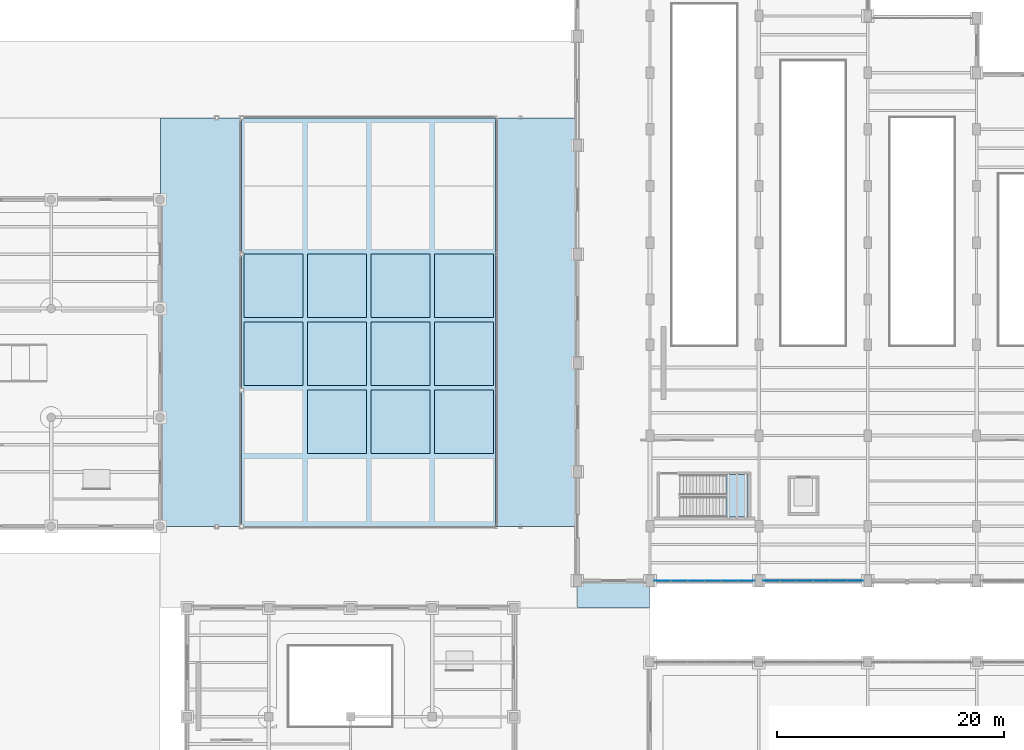
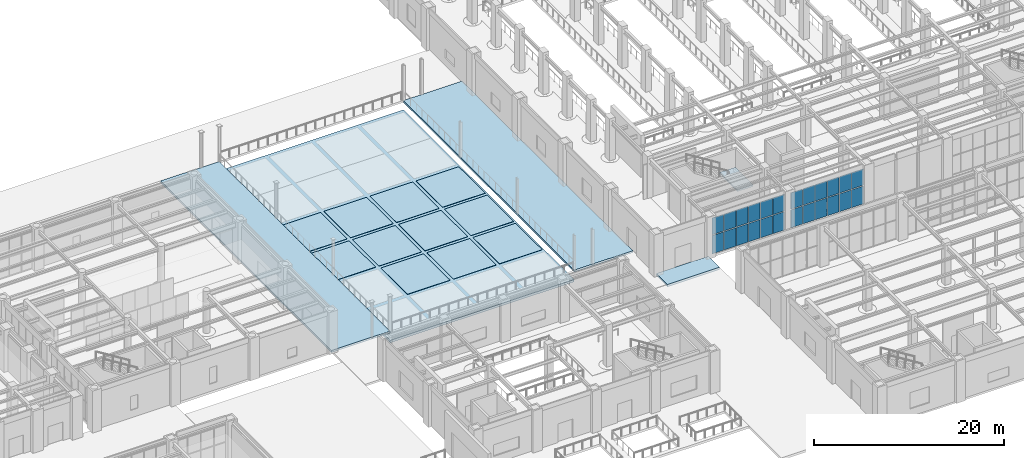
# One storey, part 118 of 164: 35 plates, 5 slabs, 3 elements without a shape of their own.
"""IFC4 building model written with IfcOpenShell, lengths in metres."""

from ifc_helpers import new_model, si_unit, direction, frame, origin, origin_2d, place, context, subcontext, project, spatial, polyline, rectangle, outline, extrude, material, layer, layer_set, type_object, element, aggregate, save


model = new_model("IFC4")

# Units and contexts
model_context = context("Model", 3, precision=1e-05, world=origin(), true_north=direction((0.0, 1.0)))
body_context = subcontext(model_context, "Body", "Model", "MODEL_VIEW")
ifc_project = project(units=[si_unit("LENGTHUNIT", "METRE"), si_unit("AREAUNIT", "SQUARE_METRE"), si_unit("VOLUMEUNIT", "CUBIC_METRE"), si_unit("PLANEANGLEUNIT", "RADIAN"), si_unit("MASSUNIT", "GRAM", prefix="KILO")], contexts=[model_context])

# Site, building, storey
site_placement = place(None, origin())
site = spatial("IfcSite", under=ifc_project, at=site_placement, CompositionType="ELEMENT")
building_placement = place(site_placement, origin())
building = spatial("IfcBuilding", under=site, at=building_placement, Name="Mavantir Sound Aquarium", CompositionType="ELEMENT")
storey_placement = place(building_placement, origin())
storey = spatial("IfcBuildingStorey", under=building, at=storey_placement, Name="L00", CompositionType="ELEMENT", Elevation=0.0)

# Curtain wall, plates
ifc_material_1 = material(Name="Anodised Marine Aluminium and Low-E Glass", Category="aluminium")
curtain_wall_type_1 = type_object("IfcCurtainWallType", Name="CW-T21", PredefinedType="USERDEFINED", material=ifc_material_1)
curtain_wall_1_placement = place(storey_placement, origin())
curtain_wall_1 = element("IfcCurtainWall", 1, at=curtain_wall_1_placement, inside=storey, type_object=curtain_wall_type_1, Name="L00 unitised curtain wall CW-21 21", ObjectType="UNITISED GLAZING", PredefinedType="USERDEFINED")
ifc_material_2 = material(Name="Solar-Control Laminated Low-E Glass", Category="glass")
ifc_layer_1 = layer(ifc_material_2, 0.028076171875, Name="Solar-Control Laminated Low-E Glass")
ifc_layer_set_1 = layer_set([ifc_layer_1], Name="Solar-Control Laminated Low-E Glass")
plate_type_1 = type_object("IfcPlateType", Name="CW-PNL-28", PredefinedType="CURTAIN_PANEL", material=ifc_layer_set_1)
plate_1_placement = place(storey_placement, frame((118.6982421875, 36.0, 0.10302734375), z_axis=(0.0, 0.0, 1.0), x_axis=(1.0, 0.0, 0.0)))
plate_1 = element("IfcPlate", 2, at=plate_1_placement, type_object=plate_type_1, Name="CW-L00-021 glazed curtain panel 1.1", PredefinedType="CURTAIN_PANEL", context=body_context, shape_type="SweptSolid", body=[
    extrude(rectangle(XDim=1.4326171875, YDim=0.028076171875, at=origin_2d()), origin(), (0.0, 0.0, 1.0), 2.3076171875),
])
plate_2_placement = place(storey_placement, frame((118.6982421875, 36.0, 2.5068359375), z_axis=(0.0, 0.0, 1.0), x_axis=(1.0, 0.0, 0.0)))
plate_2 = element("IfcPlate", 3, at=plate_2_placement, type_object=plate_type_1, Name="CW-L00-021 glazed curtain panel 1.2", PredefinedType="CURTAIN_PANEL", context=body_context, shape_type="SweptSolid", body=[
    extrude(rectangle(XDim=1.4326171875, YDim=0.028076171875, at=origin_2d()), origin(), (0.0, 0.0, 1.0), 2.118408203125),
])
plate_3_placement = place(storey_placement, frame((120.178955078125, 36.0, 0.10302734375), z_axis=(0.0, 0.0, 1.0), x_axis=(1.0, 0.0, 0.0)))
plate_3 = element("IfcPlate", 4, at=plate_3_placement, type_object=plate_type_1, Name="CW-L00-021 glazed curtain panel 2.1", PredefinedType="CURTAIN_PANEL", context=body_context, shape_type="SweptSolid", body=[
    extrude(rectangle(XDim=1.4326171875, YDim=0.028076171875, at=origin_2d()), origin(), (0.0, 0.0, 1.0), 2.3076171875),
])
plate_4_placement = place(storey_placement, frame((120.178955078125, 36.0, 2.5068359375), z_axis=(0.0, 0.0, 1.0), x_axis=(1.0, 0.0, 0.0)))
plate_4 = element("IfcPlate", 5, at=plate_4_placement, type_object=plate_type_1, Name="CW-L00-021 glazed curtain panel 2.2", PredefinedType="CURTAIN_PANEL", context=body_context, shape_type="SweptSolid", body=[
    extrude(rectangle(XDim=1.4326171875, YDim=0.028076171875, at=origin_2d()), origin(), (0.0, 0.0, 1.0), 2.118408203125),
])
plate_5_placement = place(storey_placement, frame((121.65966796875, 36.0, 0.10302734375), z_axis=(0.0, 0.0, 1.0), x_axis=(1.0, 0.0, 0.0)))
plate_5 = element("IfcPlate", 6, at=plate_5_placement, type_object=plate_type_1, Name="CW-L00-021 glazed curtain panel 3.1", PredefinedType="CURTAIN_PANEL", context=body_context, shape_type="SweptSolid", body=[
    extrude(rectangle(XDim=1.4326171875, YDim=0.028076171875, at=origin_2d()), origin(), (0.0, 0.0, 1.0), 2.3076171875),
])
plate_6_placement = place(storey_placement, frame((121.65966796875, 36.0, 2.5068359375), z_axis=(0.0, 0.0, 1.0), x_axis=(1.0, 0.0, 0.0)))
plate_6 = element("IfcPlate", 7, at=plate_6_placement, type_object=plate_type_1, Name="CW-L00-021 glazed curtain panel 3.2", PredefinedType="CURTAIN_PANEL", context=body_context, shape_type="SweptSolid", body=[
    extrude(rectangle(XDim=1.4326171875, YDim=0.028076171875, at=origin_2d()), origin(), (0.0, 0.0, 1.0), 2.118408203125),
])
plate_7_placement = place(storey_placement, frame((123.140380859375, 36.0, 0.10302734375), z_axis=(0.0, 0.0, 1.0), x_axis=(1.0, 0.0, 0.0)))
plate_7 = element("IfcPlate", 8, at=plate_7_placement, type_object=plate_type_1, Name="CW-L00-021 glazed curtain panel 4.1", PredefinedType="CURTAIN_PANEL", context=body_context, shape_type="SweptSolid", body=[
    extrude(rectangle(XDim=1.4326171875, YDim=0.028076171875, at=origin_2d()), origin(), (0.0, 0.0, 1.0), 2.3076171875),
])
plate_8_placement = place(storey_placement, frame((123.140380859375, 36.0, 2.5068359375), z_axis=(0.0, 0.0, 1.0), x_axis=(1.0, 0.0, 0.0)))
plate_8 = element("IfcPlate", 9, at=plate_8_placement, type_object=plate_type_1, Name="CW-L00-021 glazed curtain panel 4.2", PredefinedType="CURTAIN_PANEL", context=body_context, shape_type="SweptSolid", body=[
    extrude(rectangle(XDim=1.4326171875, YDim=0.028076171875, at=origin_2d()), origin(), (0.0, 0.0, 1.0), 2.118408203125),
])
plate_9_placement = place(storey_placement, frame((124.62109375, 36.0, 0.10302734375), z_axis=(0.0, 0.0, 1.0), x_axis=(1.0, 0.0, 0.0)))
plate_9 = element("IfcPlate", 10, at=plate_9_placement, type_object=plate_type_1, Name="CW-L00-021 glazed curtain panel 5.1", PredefinedType="CURTAIN_PANEL", context=body_context, shape_type="SweptSolid", body=[
    extrude(rectangle(XDim=1.4326171875, YDim=0.028076171875, at=origin_2d()), origin(), (0.0, 0.0, 1.0), 2.3076171875),
])
plate_10_placement = place(storey_placement, frame((124.62109375, 36.0, 2.5068359375), z_axis=(0.0, 0.0, 1.0), x_axis=(1.0, 0.0, 0.0)))
plate_10 = element("IfcPlate", 11, at=plate_10_placement, type_object=plate_type_1, Name="CW-L00-021 glazed curtain panel 5.2", PredefinedType="CURTAIN_PANEL", context=body_context, shape_type="SweptSolid", body=[
    extrude(rectangle(XDim=1.4326171875, YDim=0.028076171875, at=origin_2d()), origin(), (0.0, 0.0, 1.0), 2.118408203125),
])
plate_11_placement = place(storey_placement, frame((126.101806640625, 36.0, 0.10302734375), z_axis=(0.0, 0.0, 1.0), x_axis=(1.0, 0.0, 0.0)))
plate_11 = element("IfcPlate", 12, at=plate_11_placement, type_object=plate_type_1, Name="CW-L00-021 glazed curtain panel 6.1", PredefinedType="CURTAIN_PANEL", context=body_context, shape_type="SweptSolid", body=[
    extrude(rectangle(XDim=1.4326171875, YDim=0.028076171875, at=origin_2d()), origin(), (0.0, 0.0, 1.0), 2.3076171875),
])
plate_12_placement = place(storey_placement, frame((126.101806640625, 36.0, 2.5068359375), z_axis=(0.0, 0.0, 1.0), x_axis=(1.0, 0.0, 0.0)))
plate_12 = element("IfcPlate", 13, at=plate_12_placement, type_object=plate_type_1, Name="CW-L00-021 glazed curtain panel 6.2", PredefinedType="CURTAIN_PANEL", context=body_context, shape_type="SweptSolid", body=[
    extrude(rectangle(XDim=1.4326171875, YDim=0.028076171875, at=origin_2d()), origin(), (0.0, 0.0, 1.0), 2.118408203125),
])
aggregate(curtain_wall_1, [plate_1, plate_2, plate_3, plate_4, plate_5, plate_6, plate_7, plate_8, plate_9, plate_10, plate_11, plate_12])

curtain_wall_type_2 = type_object("IfcCurtainWallType", Name="CW-T20", PredefinedType="USERDEFINED", material=ifc_material_1)
curtain_wall_2_placement = place(storey_placement, origin())
curtain_wall_2 = element("IfcCurtainWall", 14, at=curtain_wall_2_placement, inside=storey, type_object=curtain_wall_type_2, Name="L00 unitised curtain wall CW-20 20", ObjectType="UNITISED GLAZING", PredefinedType="USERDEFINED")
ifc_layer_2 = layer(ifc_material_2, 0.031982421875, Name="Solar-Control Laminated Low-E Glass")
ifc_layer_set_2 = layer_set([ifc_layer_2], Name="Solar-Control Laminated Low-E Glass")
plate_type_2 = type_object("IfcPlateType", Name="CW-PNL-32", PredefinedType="CURTAIN_PANEL", material=ifc_layer_set_2)
plate_13_placement = place(storey_placement, frame((109.098388671875, 36.0, 0.10302734375), z_axis=(0.0, 0.0, 1.0), x_axis=(1.0, 0.0, 0.0)))
plate_13 = element("IfcPlate", 15, at=plate_13_placement, type_object=plate_type_2, Name="CW-L00-020 glazed curtain panel 1.1", PredefinedType="CURTAIN_PANEL", context=body_context, shape_type="SweptSolid", body=[
    extrude(rectangle(XDim=1.4326171875, YDim=0.031982421875, at=origin_2d()), origin(), (0.0, 0.0, 1.0), 2.3623046875),
])
plate_14_placement = place(storey_placement, frame((109.098388671875, 36.0, 2.56103515625), z_axis=(0.0, 0.0, 1.0), x_axis=(1.0, 0.0, 0.0)))
plate_14 = element("IfcPlate", 16, at=plate_14_placement, type_object=plate_type_2, Name="CW-L00-020 glazed curtain panel 1.2", PredefinedType="CURTAIN_PANEL", context=body_context, shape_type="SweptSolid", body=[
    extrude(rectangle(XDim=1.4326171875, YDim=0.031982421875, at=origin_2d()), origin(), (0.0, 0.0, 1.0), 2.168701171875),
])
plate_15_placement = place(storey_placement, frame((110.5791015625, 36.0, 0.10302734375), z_axis=(0.0, 0.0, 1.0), x_axis=(1.0, 0.0, 0.0)))
plate_15 = element("IfcPlate", 17, at=plate_15_placement, type_object=plate_type_2, Name="CW-L00-020 glazed curtain panel 2.1", PredefinedType="CURTAIN_PANEL", context=body_context, shape_type="SweptSolid", body=[
    extrude(rectangle(XDim=1.4326171875, YDim=0.031982421875, at=origin_2d()), origin(), (0.0, 0.0, 1.0), 2.3623046875),
])
plate_16_placement = place(storey_placement, frame((110.5791015625, 36.0, 2.56103515625), z_axis=(0.0, 0.0, 1.0), x_axis=(1.0, 0.0, 0.0)))
plate_16 = element("IfcPlate", 18, at=plate_16_placement, type_object=plate_type_2, Name="CW-L00-020 glazed curtain panel 2.2", PredefinedType="CURTAIN_PANEL", context=body_context, shape_type="SweptSolid", body=[
    extrude(rectangle(XDim=1.4326171875, YDim=0.031982421875, at=origin_2d()), origin(), (0.0, 0.0, 1.0), 2.168701171875),
])
plate_17_placement = place(storey_placement, frame((112.059814453125, 36.0, 0.10302734375), z_axis=(0.0, 0.0, 1.0), x_axis=(1.0, 0.0, 0.0)))
plate_17 = element("IfcPlate", 19, at=plate_17_placement, type_object=plate_type_2, Name="CW-L00-020 glazed curtain panel 3.1", PredefinedType="CURTAIN_PANEL", context=body_context, shape_type="SweptSolid", body=[
    extrude(rectangle(XDim=1.4326171875, YDim=0.031982421875, at=origin_2d()), origin(), (0.0, 0.0, 1.0), 2.3623046875),
])
plate_18_placement = place(storey_placement, frame((112.059814453125, 36.0, 2.56103515625), z_axis=(0.0, 0.0, 1.0), x_axis=(1.0, 0.0, 0.0)))
plate_18 = element("IfcPlate", 20, at=plate_18_placement, type_object=plate_type_2, Name="CW-L00-020 glazed curtain panel 3.2", PredefinedType="CURTAIN_PANEL", context=body_context, shape_type="SweptSolid", body=[
    extrude(rectangle(XDim=1.4326171875, YDim=0.031982421875, at=origin_2d()), origin(), (0.0, 0.0, 1.0), 2.168701171875),
])
plate_19_placement = place(storey_placement, frame((113.540283203125, 36.0, 0.10302734375), z_axis=(0.0, 0.0, 1.0), x_axis=(1.0, 0.0, 0.0)))
plate_19 = element("IfcPlate", 21, at=plate_19_placement, type_object=plate_type_2, Name="CW-L00-020 glazed curtain panel 4.1", PredefinedType="CURTAIN_PANEL", context=body_context, shape_type="SweptSolid", body=[
    extrude(rectangle(XDim=1.4326171875, YDim=0.031982421875, at=origin_2d()), origin(), (0.0, 0.0, 1.0), 2.3623046875),
])
plate_20_placement = place(storey_placement, frame((113.540283203125, 36.0, 2.56103515625), z_axis=(0.0, 0.0, 1.0), x_axis=(1.0, 0.0, 0.0)))
plate_20 = element("IfcPlate", 22, at=plate_20_placement, type_object=plate_type_2, Name="CW-L00-020 glazed curtain panel 4.2", PredefinedType="CURTAIN_PANEL", context=body_context, shape_type="SweptSolid", body=[
    extrude(rectangle(XDim=1.4326171875, YDim=0.031982421875, at=origin_2d()), origin(), (0.0, 0.0, 1.0), 2.168701171875),
])
plate_21_placement = place(storey_placement, frame((115.02099609375, 36.0, 0.10302734375), z_axis=(0.0, 0.0, 1.0), x_axis=(1.0, 0.0, 0.0)))
plate_21 = element("IfcPlate", 23, at=plate_21_placement, type_object=plate_type_2, Name="CW-L00-020 glazed curtain panel 5.1", PredefinedType="CURTAIN_PANEL", context=body_context, shape_type="SweptSolid", body=[
    extrude(rectangle(XDim=1.4326171875, YDim=0.031982421875, at=origin_2d()), origin(), (0.0, 0.0, 1.0), 2.3623046875),
])
plate_22_placement = place(storey_placement, frame((115.02099609375, 36.0, 2.56103515625), z_axis=(0.0, 0.0, 1.0), x_axis=(1.0, 0.0, 0.0)))
plate_22 = element("IfcPlate", 24, at=plate_22_placement, type_object=plate_type_2, Name="CW-L00-020 glazed curtain panel 5.2", PredefinedType="CURTAIN_PANEL", context=body_context, shape_type="SweptSolid", body=[
    extrude(rectangle(XDim=1.4326171875, YDim=0.031982421875, at=origin_2d()), origin(), (0.0, 0.0, 1.0), 2.168701171875),
])
plate_23_placement = place(storey_placement, frame((116.501708984375, 36.0, 0.10302734375), z_axis=(0.0, 0.0, 1.0), x_axis=(1.0, 0.0, 0.0)))
plate_23 = element("IfcPlate", 25, at=plate_23_placement, type_object=plate_type_2, Name="CW-L00-020 glazed curtain panel 6.1", PredefinedType="CURTAIN_PANEL", context=body_context, shape_type="SweptSolid", body=[
    extrude(rectangle(XDim=1.4326171875, YDim=0.031982421875, at=origin_2d()), origin(), (0.0, 0.0, 1.0), 2.3623046875),
])
plate_24_placement = place(storey_placement, frame((116.501708984375, 36.0, 2.56103515625), z_axis=(0.0, 0.0, 1.0), x_axis=(1.0, 0.0, 0.0)))
plate_24 = element("IfcPlate", 26, at=plate_24_placement, type_object=plate_type_2, Name="CW-L00-020 glazed curtain panel 6.2", PredefinedType="CURTAIN_PANEL", context=body_context, shape_type="SweptSolid", body=[
    extrude(rectangle(XDim=1.4326171875, YDim=0.031982421875, at=origin_2d()), origin(), (0.0, 0.0, 1.0), 2.168701171875),
])
aggregate(curtain_wall_2, [plate_13, plate_14, plate_15, plate_16, plate_17, plate_18, plate_19, plate_20, plate_21, plate_22, plate_23, plate_24])

# Plates
ifc_material_3 = material(Name="Cerulean Glazed Tidal Basin Weir Plate", Category="glass")
ifc_layer_3 = layer(ifc_material_3, 0.0400390625, Name="Cerulean Glazed Tidal Basin Weir Plate")
ifc_layer_set_3 = layer_set([ifc_layer_3], Name="Cerulean Glazed Tidal Basin Weir Plate")
plate_type_3 = type_object("IfcPlateType", Name="PLT-WATER-25", PredefinedType="SHEET", material=ifc_layer_set_3)
for number, where, z_axis, x_axis, name in (
    (27, (74.800048828125, 56.0, -1.2099609375), (0.0, 0.0, 1.0), (1.0, 0.0, 0.0), "Gulf of Paria tidal basin weir plate 3"),
    (28, (74.800048828125, 62.0, -1.2099609375), (0.0, 0.0, 1.0), (1.0, 0.0, 0.0), "Gulf of Paria tidal basin weir plate 4"),
    (29, (80.39990234375, 50.0, -1.2099609375), (0.0, 0.0, 1.0), (1.0, 0.0, 0.0), "Gulf of Paria tidal basin weir plate 8"),
    (30, (80.39990234375, 56.0, -1.2099609375), (0.0, 0.0, 1.0), (1.0, 0.0, 0.0), "Gulf of Paria tidal basin weir plate 9"),
    (31, (80.39990234375, 62.0, -1.2099609375), (0.0, 0.0, 1.0), (1.0, 0.0, 0.0), "Gulf of Paria tidal basin weir plate 10"),
    (32, (86.0, 50.0, -1.2099609375), (0.0, 0.0, 1.0), (1.0, 0.0, 0.0), "Gulf of Paria tidal basin weir plate 14"),
    (33, (86.0, 56.0, -1.2099609375), (0.0, 0.0, 1.0), (1.0, 0.0, 0.0), "Gulf of Paria tidal basin weir plate 15"),
    (34, (86.0, 62.0, -1.2099609375), (0.0, 0.0, 1.0), (1.0, 0.0, 0.0), "Gulf of Paria tidal basin weir plate 16"),
    (35, (91.60009765625, 50.0, -1.2099609375), (0.0, 0.0, 1.0), (1.0, 0.0, 0.0), "Gulf of Paria tidal basin weir plate 20"),
    (36, (91.60009765625, 56.0, -1.2099609375), (0.0, 0.0, 1.0), (1.0, 0.0, 0.0), "Gulf of Paria tidal basin weir plate 21"),
    (37, (91.60009765625, 62.0, -1.2099609375), (0.0, 0.0, 1.0), (1.0, 0.0, 0.0), "Gulf of Paria tidal basin weir plate 22"),
):
    element("IfcPlate", number, at=place(storey_placement, frame(where, z_axis=z_axis, x_axis=x_axis)), inside=storey, type_object=plate_type_3, Name=name, PredefinedType="SHEET", context=body_context, shape_type="SweptSolid", body=[
        extrude(rectangle(XDim=5.199951171875, YDim=5.60009765625, at=origin_2d()), origin(), (0.0, 0.0, 1.0), 0.0400390625),
    ])

# Slabs
ifc_material_4 = material(Name="Concrete C40/50", Category="concrete")
ifc_layer_4 = layer(ifc_material_4, 0.300048828125, Name="Concrete C40/50")
ifc_layer_set_4 = layer_set([ifc_layer_4], Name="Concrete C40/50")
slab_type_1 = type_object("IfcSlabType", Name="SLB-ES-01", PredefinedType="FLOOR", material=ifc_layer_set_4)
slab_1_placement = place(storey_placement, frame((0.0, 0.0, -0.300048828125)))
element("IfcSlab", 38, at=slab_1_placement, inside=storey, type_object=slab_type_1, Name="L00 outdoor apron slab ES-01", PredefinedType="FLOOR", context=body_context, shape_type="SweptSolid", body=[
    extrude(outline(polyline([(101.60009765625, 33.60009765625), (107.949951171875, 33.60009765625), (107.949951171875, 35.949951171875), (101.60009765625, 35.949951171875), (101.60009765625, 33.60009765625)])), origin(), (0.0, 0.0, 1.0), 0.300048828125),
])
slab_2_placement = place(storey_placement, frame((0.0, 0.0, -1.5)))
element("IfcSlab", 39, at=slab_2_placement, inside=storey, type_object=slab_type_1, Name="L00 outdoor basin slab ES-01", PredefinedType="FLOOR", context=body_context, shape_type="SweptSolid", body=[
    extrude(outline(polyline([(72.0, 40.800048828125), (94.39990234375, 40.800048828125), (94.39990234375, 76.800048828125), (72.0, 76.800048828125), (72.0, 40.800048828125)])), origin(), (0.0, 0.0, 1.0), 0.300048828125),
])
ifc_layer_5 = layer(ifc_material_4, 0.25, Name="Concrete C40/50")
ifc_layer_set_5 = layer_set([ifc_layer_5], Name="Concrete C40/50")
slab_type_2 = type_object("IfcSlabType", Name="SLB-ES-02", PredefinedType="FLOOR", material=ifc_layer_set_5)
slab_3_placement = place(storey_placement, frame((0.0, 0.0, -0.25)))
element("IfcSlab", 40, at=slab_3_placement, inside=storey, type_object=slab_type_2, Name="L00 outdoor apron slab ES-02", PredefinedType="FLOOR", context=body_context, shape_type="SweptSolid", body=[
    extrude(outline(polyline([(64.85009765625, 40.800048828125), (72.0, 40.800048828125), (72.0, 76.800048828125), (64.85009765625, 76.800048828125), (64.85009765625, 40.800048828125)])), origin(), (0.0, 0.0, 1.0), 0.25),
])
slab_4_placement = place(storey_placement, frame((0.0, 0.0, -0.25)))
element("IfcSlab", 41, at=slab_4_placement, inside=storey, type_object=slab_type_2, Name="L00 outdoor apron slab ES-02", PredefinedType="FLOOR", context=body_context, shape_type="SweptSolid", body=[
    extrude(outline(polyline([(94.39990234375, 40.800048828125), (101.550048828125, 40.800048828125), (101.550048828125, 76.800048828125), (94.39990234375, 76.800048828125), (94.39990234375, 40.800048828125)])), origin(), (0.0, 0.0, 1.0), 0.25),
])

# Stair, slab
stair_type = type_object("IfcStairType", Name="STR-1800-5400", PredefinedType="HALF_TURN_STAIR", material=ifc_material_4)
stair_placement = place(storey_placement, origin())
stair = element("IfcStair", 42, at=stair_placement, inside=storey, type_object=stair_type, Name="L00 Protected exit stair ST4", PredefinedType="HALF_TURN_STAIR")
ifc_layer_6 = layer(ifc_material_4, 0.199951171875, Name="Concrete C40/50")
ifc_layer_set_6 = layer_set([ifc_layer_6], Name="Concrete C40/50")
slab_type_3 = type_object("IfcSlabType", Name="SLB-LND-360", PredefinedType="LANDING", material=ifc_layer_set_6)
slab_5_placement = place(storey_placement, frame((0.0, 0.0, 2.5)))
slab_5 = element("IfcSlab", 43, at=slab_5_placement, type_object=slab_type_3, Name="ST4 landing 1", PredefinedType="LANDING", context=body_context, shape_type="SweptSolid", body=[
    extrude(outline(polyline([(114.7099609375, 41.60009765625), (116.64990234375, 41.60009765625), (116.64990234375, 45.35009765625), (114.7099609375, 45.35009765625), (114.7099609375, 41.60009765625)])), origin(), (0.0, 0.0, 1.0), 0.199951171875),
])
aggregate(stair, [slab_5])

save(model, "model.ifc")
